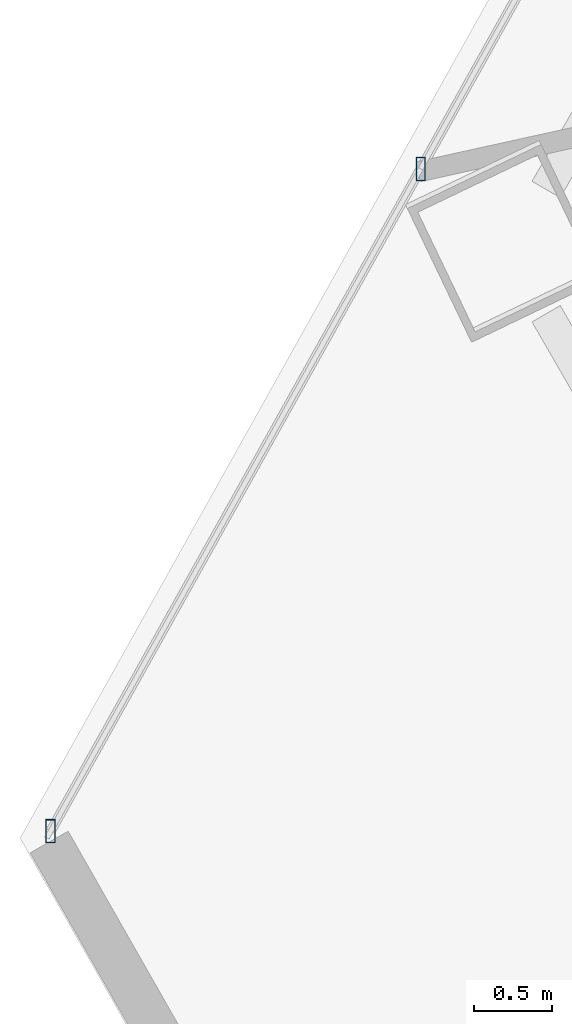
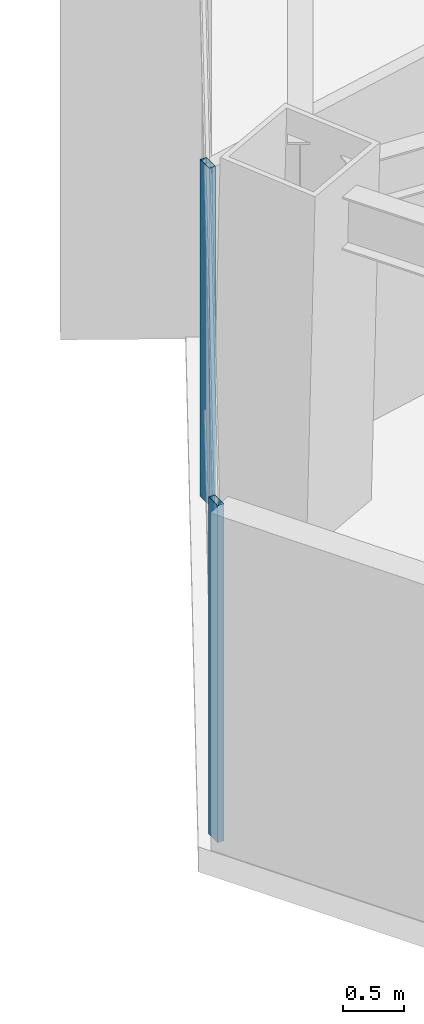
# One storey, part 6 of 39: 2 members, 1 element without a shape of its own.
"""IFC4 building model written with IfcOpenShell, lengths in metres."""

from ifc_helpers import new_model, si_unit, direction, frame, origin, origin_2d, place, context, subcontext, project, spatial, hollow_rectangle, extrude, source, transform, mapped, material, material_profile, profile_set, type_object, type_shapes, element, aggregate, save


model = new_model("IFC4")

# Units and contexts
model_context = context("Model", 3, precision=1e-05, world=origin(), true_north=direction((0.0, 1.0)))
body_context = subcontext(model_context, "Body", "Model", "MODEL_VIEW")
ifc_project = project(units=[si_unit("LENGTHUNIT", "METRE"), si_unit("AREAUNIT", "SQUARE_METRE"), si_unit("VOLUMEUNIT", "CUBIC_METRE"), si_unit("PLANEANGLEUNIT", "RADIAN"), si_unit("MASSUNIT", "GRAM", prefix="KILO")], contexts=[model_context])

# Site, building, storey
site_placement = place(None, origin())
site = spatial("IfcSite", under=ifc_project, at=site_placement, CompositionType="ELEMENT")
building_placement = place(site_placement, origin())
building = spatial("IfcBuilding", under=site, at=building_placement, Name="Caelisora Broadcast Tower", CompositionType="ELEMENT")
storey_placement = place(building_placement, frame((0.0, 0.0, 142.75)))
storey = spatial("IfcBuildingStorey", under=building, at=storey_placement, Name="L37", CompositionType="ELEMENT", Elevation=142.75)

# Curtain wall, members
ifc_material_1 = material(Name="Unitised Aluminium and Low-E Glass Curtain Wall", Category="glass")
curtain_wall_type = type_object("IfcCurtainWallType", Name="CW-Z3", PredefinedType="NOTDEFINED", material=ifc_material_1)
curtain_wall_placement = place(storey_placement, origin())
curtain_wall = element("IfcCurtainWall", 1, at=curtain_wall_placement, inside=storey, type_object=curtain_wall_type, Name="L37 curtain wall CW-Z3", PredefinedType="NOTDEFINED")
ifc_material_2 = material(Name="Aluminium 6063-T6 Anodised Terracotta Bronze", Category="aluminium")
ifc_material_profile = material_profile(ifc_material_2, hollow_rectangle(XDim=0.06005859375, YDim=0.14990234375, WallThickness=0.00341796875, at=origin_2d()), Name="Aluminium 6063-T6 Anodised Terracotta Bronze")
ifc_profile_set = profile_set([ifc_material_profile], Name="Aluminium 6063-T6 Anodised Terracotta Bronze")
member_type = type_object("IfcMemberType", Name="CWM-03", PredefinedType="MULLION", material=ifc_profile_set)
shared_shape = source(origin(), body_context, "Body", "SweptSolid", [
    extrude(hollow_rectangle(XDim=0.06005859375, YDim=0.14990234375, WallThickness=0.00341796875, at=origin_2d()), origin(), (0.0, 0.0, 1.0), 3.39990234375),
])
type_shapes(member_type, [shared_shape])
member_1_placement = place(storey_placement, frame((12.348388671875, 14.651611328125, 0.0), z_axis=(0.0, 0.0, 1.0), x_axis=(1.0, 0.0, 0.0)))
member_1 = element("IfcMember", 2, at=member_1_placement, type_object=member_type, Name="L37-CW-B09 mullion #0", PredefinedType="MULLION", context=body_context, shape_type="MappedRepresentation", body=[
    mapped(shared_shape, transform((0.0, 0.0, 0.0), scale=1.0)),
])
member_2_placement = place(storey_placement, frame((14.72021484375, 18.896240234375, 0.0), z_axis=(0.0, 0.0, 1.0), x_axis=(1.0, 0.0, 0.0)))
member_2 = element("IfcMember", 3, at=member_2_placement, type_object=member_type, Name="L37-CW-B09 mullion #1", PredefinedType="MULLION", context=body_context, shape_type="MappedRepresentation", body=[
    mapped(shared_shape, transform((0.0, 0.0, 0.0), scale=1.0)),
])
aggregate(curtain_wall, [member_1, member_2])

save(model, "model.ifc")
